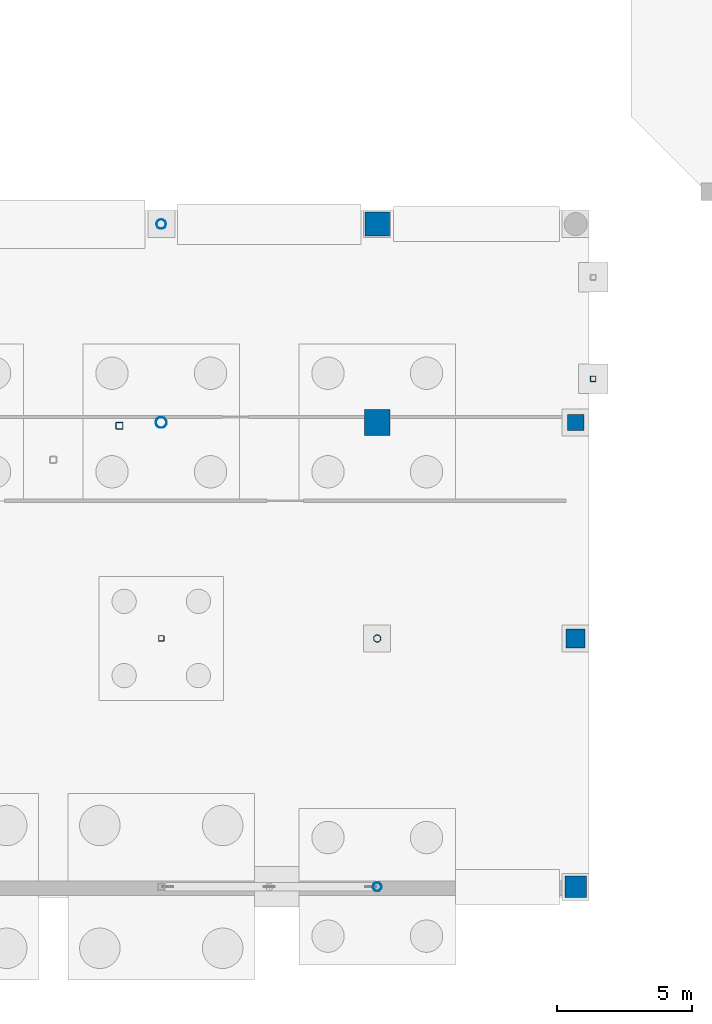
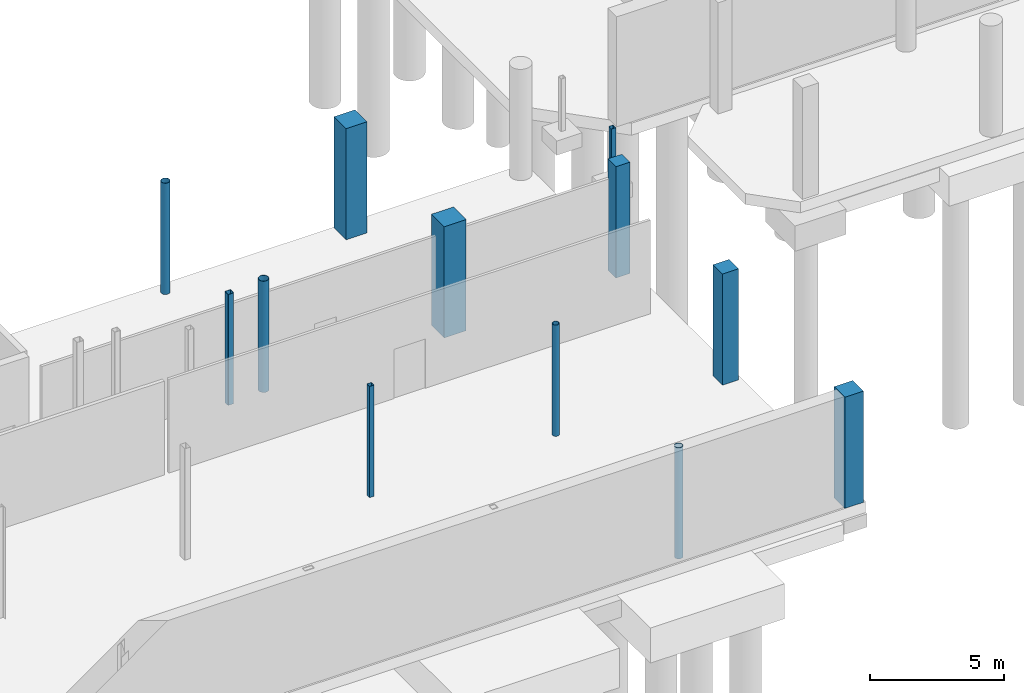
# One storey, part 6 of 33: 12 columns.
"""IFC4 building model written with IfcOpenShell, lengths in metres."""

from ifc_helpers import new_model, si_unit, direction, frame, origin, origin_2d, place, context, subcontext, project, spatial, rectangle, hollow_rectangle, hollow_circle, extrude, material, material_profile, profile_set, type_object, element, save


model = new_model("IFC4")

# Units and contexts
model_context = context("Model", 3, precision=1e-05, world=origin(), true_north=direction((0.0, 1.0)))
body_context = subcontext(model_context, "Body", "Model", "MODEL_VIEW")
ifc_project = project(units=[si_unit("LENGTHUNIT", "METRE"), si_unit("AREAUNIT", "SQUARE_METRE"), si_unit("VOLUMEUNIT", "CUBIC_METRE"), si_unit("PLANEANGLEUNIT", "RADIAN"), si_unit("MASSUNIT", "GRAM", prefix="KILO")], contexts=[model_context])

# Site, building, storey
site_placement = place(None, origin())
site = spatial("IfcSite", under=ifc_project, at=site_placement, CompositionType="ELEMENT")
building_placement = place(site_placement, origin())
building = spatial("IfcBuilding", under=site, at=building_placement, Name="Brisemont Oceanarium", CompositionType="ELEMENT")
storey_placement = place(building_placement, frame((0.0, 0.0, -5.39990234375)))
storey = spatial("IfcBuildingStorey", under=building, at=storey_placement, Name="B01", CompositionType="ELEMENT", Elevation=-5.39990234375)

# Columns
ifc_material_1 = material(Name="Structural Steel ASTM A500 Gr.C", Category="steel")
ifc_material_profile_1 = material_profile(ifc_material_1, hollow_circle(Radius=0.136474609375, WallThickness=0.01171875, at=origin_2d()), Name="HSS10.750X0.500")
ifc_profile_set_1 = profile_set([ifc_material_profile_1], Name="Structural Steel ASTM A500 Gr.C")
column_type_1 = type_object("IfcColumnType", Name="COL-CHS10", PredefinedType="COLUMN", material=ifc_profile_set_1)
column_1_placement = place(storey_placement, frame((48.0, 16.0, 0.0), z_axis=(0.0, 0.0, 1.0), x_axis=(1.0, 0.0, 0.0)))
element("IfcColumn", 1, at=column_1_placement, inside=storey, type_object=column_type_1, Name="V2 B01 column (5,1)", PredefinedType="COLUMN", context=body_context, shape_type="SweptSolid", body=[
    extrude(hollow_circle(Radius=0.136474609375, WallThickness=0.01171875, at=origin_2d()), origin(), (0.0, 0.0, 1.0), 5.079833984375),
])
ifc_material_2 = material(Name="Structural Steel ASTM A500 Gr.C", Category="steel")
ifc_material_profile_2 = material_profile(ifc_material_2, hollow_circle(Radius=0.162109375, WallThickness=0.01171875, at=origin_2d()), Name="HSS12.750X0.500")
ifc_profile_set_2 = profile_set([ifc_material_profile_2], Name="Structural Steel ASTM A500 Gr.C")
column_type_2 = type_object("IfcColumnType", Name="COL-CHS12", PredefinedType="COLUMN", material=ifc_profile_set_2)
column_2_placement = place(storey_placement, frame((48.0, 6.800048828125, 0.0), z_axis=(0.0, 0.0, 1.0), x_axis=(0.0, 1.0, 0.0)))
element("IfcColumn", 2, at=column_2_placement, inside=storey, type_object=column_type_2, Name="V2 B01 column (5,0)", PredefinedType="COLUMN", context=body_context, shape_type="SweptSolid", body=[
    extrude(hollow_circle(Radius=0.162109375, WallThickness=0.01171875, at=origin_2d()), origin(), (0.0, 0.0, 1.0), 5.079833984375),
])
ifc_material_3 = material(Name="Structural Steel ASTM A500 Gr.C", Category="steel")
ifc_material_profile_3 = material_profile(ifc_material_3, hollow_circle(Radius=0.177978515625, WallThickness=0.01171875, at=origin_2d()), Name="HSS14.000X0.500")
ifc_profile_set_3 = profile_set([ifc_material_profile_3], Name="Structural Steel ASTM A500 Gr.C")
column_type_3 = type_object("IfcColumnType", Name="COL-CHS14", PredefinedType="COLUMN", material=ifc_profile_set_3)
column_3_placement = place(storey_placement, frame((40.0, 31.35009765625, 0.0), z_axis=(0.0, 0.0, 1.0), x_axis=(0.0, 1.0, 0.0)))
element("IfcColumn", 3, at=column_3_placement, inside=storey, type_object=column_type_3, Name="V2 B01 column (4,3)", PredefinedType="COLUMN", context=body_context, shape_type="SweptSolid", body=[
    extrude(hollow_circle(Radius=0.177978515625, WallThickness=0.01171875, at=origin_2d()), origin(), (0.0, 0.0, 1.0), 5.079833984375),
])
ifc_material_4 = material(Name="Structural Steel ASTM A500 Gr.C", Category="steel")
ifc_material_profile_4 = material_profile(ifc_material_4, hollow_circle(Radius=0.202880859375, WallThickness=0.01171875, at=origin_2d()), Name="HSS16.000X0.500")
ifc_profile_set_4 = profile_set([ifc_material_profile_4], Name="Structural Steel ASTM A500 Gr.C")
column_type_4 = type_object("IfcColumnType", Name="COL-CHS16", PredefinedType="COLUMN", material=ifc_profile_set_4)
column_4_placement = place(storey_placement, frame((40.0, 24.0, 0.0), z_axis=(0.0, 0.0, 1.0), x_axis=(1.0, 0.0, 0.0)))
element("IfcColumn", 4, at=column_4_placement, inside=storey, type_object=column_type_4, Name="V2 B01 column (4,2)", PredefinedType="COLUMN", context=body_context, shape_type="SweptSolid", body=[
    extrude(hollow_circle(Radius=0.202880859375, WallThickness=0.01171875, at=origin_2d()), origin(), (0.0, 0.0, 1.0), 5.079833984375),
])
ifc_material_5 = material(Name="Structural Steel ASTM A500 Gr.C", Category="steel")
ifc_material_profile_5 = material_profile(ifc_material_5, hollow_rectangle(XDim=0.25390625, YDim=0.25390625, WallThickness=0.01171875, InnerFilletRadius=0.01220703125, OuterFilletRadius=0.02392578125, at=origin_2d()), Name="HSS10X10X1/2")
ifc_profile_set_5 = profile_set([ifc_material_profile_5], Name="Structural Steel ASTM A500 Gr.C")
column_type_5 = type_object("IfcColumnType", Name="COL-HSS10X10", PredefinedType="COLUMN", material=ifc_profile_set_5)
column_5_placement = place(storey_placement, frame((38.449951171875, 23.8798828125, 0.0), z_axis=(0.0, 0.0, 1.0), x_axis=(1.0, 0.0, 0.0)))
element("IfcColumn", 5, at=column_5_placement, inside=storey, type_object=column_type_5, Name="ST-10 B01 support column E", PredefinedType="COLUMN", context=body_context, shape_type="SweptSolid", body=[
    extrude(hollow_rectangle(XDim=0.25390625, YDim=0.25390625, WallThickness=0.01171875, InnerFilletRadius=0.01220703125, OuterFilletRadius=0.02392578125, at=origin_2d()), origin(), (0.0, 0.0, 1.0), 5.059814453125),
])
ifc_material_6 = material(Name="Structural Steel ASTM A500 Gr.C", Category="steel")
ifc_material_profile_6 = material_profile(ifc_material_6, hollow_rectangle(XDim=0.202880859375, YDim=0.202880859375, WallThickness=0.0087890625, InnerFilletRadius=0.009033203125, OuterFilletRadius=0.01806640625, at=origin_2d()), Name="HSS8X8X3/8")
ifc_profile_set_6 = profile_set([ifc_material_profile_6], Name="Structural Steel ASTM A500 Gr.C")
column_type_6 = type_object("IfcColumnType", Name="COL-HSS8X8", PredefinedType="COLUMN", material=ifc_profile_set_6)
column_6_placement = place(storey_placement, frame((40.0, 16.0, 0.0), z_axis=(0.0, 0.0, 1.0), x_axis=(0.0, 1.0, 0.0)))
element("IfcColumn", 6, at=column_6_placement, inside=storey, type_object=column_type_6, Name="V2 B01 column (4,1)", PredefinedType="COLUMN", context=body_context, shape_type="SweptSolid", body=[
    extrude(hollow_rectangle(XDim=0.202880859375, YDim=0.202880859375, WallThickness=0.0087890625, InnerFilletRadius=0.009033203125, OuterFilletRadius=0.01806640625, at=origin_2d()), origin(), (0.0, 0.0, 1.0), 5.079833984375),
])
column_7_placement = place(storey_placement, frame((56.0, 25.6201171875, 3.0), z_axis=(0.0, 0.0, 1.0), x_axis=(1.0, 0.0, 0.0)))
element("IfcColumn", 7, at=column_7_placement, inside=storey, type_object=column_type_6, Name="Seismic bridge pier B01", PredefinedType="COLUMN", context=body_context, shape_type="SweptSolid", body=[
    extrude(hollow_rectangle(XDim=0.202880859375, YDim=0.202880859375, WallThickness=0.0087890625, InnerFilletRadius=0.009033203125, OuterFilletRadius=0.01806640625, at=origin_2d()), origin(), (0.0, 0.0, 1.0), 2.39990234375),
])
ifc_material_7 = material(Name="Concrete C35/45", Category="concrete")
ifc_material_profile_7 = material_profile(ifc_material_7, rectangle(XDim=0.60009765625, YDim=0.60009765625, at=origin_2d()), Name="RC-COL-600X600")
ifc_profile_set_7 = profile_set([ifc_material_profile_7], Name="Concrete C35/45")
column_type_7 = type_object("IfcColumnType", Name="COL-RC600", PredefinedType="COLUMN", material=ifc_profile_set_7)
column_8_placement = place(storey_placement, frame((55.35009765625, 24.0, 0.0), z_axis=(0.0, 0.0, 1.0), x_axis=(1.0, 0.0, 0.0)))
element("IfcColumn", 8, at=column_8_placement, inside=storey, type_object=column_type_7, Name="V2 B01 column (6,2)", PredefinedType="COLUMN", context=body_context, shape_type="SweptSolid", body=[
    extrude(rectangle(XDim=0.60009765625, YDim=0.60009765625, at=origin_2d()), origin(), (0.0, 0.0, 1.0), 5.079833984375),
])
ifc_material_8 = material(Name="Concrete C35/45", Category="concrete")
ifc_material_profile_8 = material_profile(ifc_material_8, rectangle(XDim=0.699951171875, YDim=0.699951171875, at=origin_2d()), Name="RC-COL-700X700")
ifc_profile_set_8 = profile_set([ifc_material_profile_8], Name="Concrete C35/45")
column_type_8 = type_object("IfcColumnType", Name="COL-RC700", PredefinedType="COLUMN", material=ifc_profile_set_8)
column_9_placement = place(storey_placement, frame((55.35009765625, 16.0, 0.0), z_axis=(0.0, 0.0, 1.0), x_axis=(0.0, 1.0, 0.0)))
element("IfcColumn", 9, at=column_9_placement, inside=storey, type_object=column_type_8, Name="V2 B01 column (6,1)", PredefinedType="COLUMN", context=body_context, shape_type="SweptSolid", body=[
    extrude(rectangle(XDim=0.699951171875, YDim=0.699951171875, at=origin_2d()), origin(), (0.0, 0.0, 1.0), 5.079833984375),
])
ifc_material_9 = material(Name="Concrete C40/50", Category="concrete")
ifc_material_profile_9 = material_profile(ifc_material_9, rectangle(XDim=0.800048828125, YDim=0.800048828125, at=origin_2d()), Name="RC-COL-800X800")
ifc_profile_set_9 = profile_set([ifc_material_profile_9], Name="Concrete C40/50")
column_type_9 = type_object("IfcColumnType", Name="COL-RC800", PredefinedType="COLUMN", material=ifc_profile_set_9)
column_10_placement = place(storey_placement, frame((55.35009765625, 6.800048828125, 0.0), z_axis=(0.0, 0.0, 1.0), x_axis=(1.0, 0.0, 0.0)))
element("IfcColumn", 10, at=column_10_placement, inside=storey, type_object=column_type_9, Name="V2 B01 column (6,0)", PredefinedType="COLUMN", context=body_context, shape_type="SweptSolid", body=[
    extrude(rectangle(XDim=0.800048828125, YDim=0.800048828125, at=origin_2d()), origin(), (0.0, 0.0, 1.0), 5.079833984375),
])
ifc_material_10 = material(Name="Concrete C40/50", Category="concrete")
ifc_material_profile_10 = material_profile(ifc_material_10, rectangle(XDim=0.89990234375, YDim=0.89990234375, at=origin_2d()), Name="RC-COL-900X900")
ifc_profile_set_10 = profile_set([ifc_material_profile_10], Name="Concrete C40/50")
column_type_10 = type_object("IfcColumnType", Name="COL-RC900", PredefinedType="COLUMN", material=ifc_profile_set_10)
column_11_placement = place(storey_placement, frame((48.0, 31.35009765625, 0.0), z_axis=(0.0, 0.0, 1.0), x_axis=(1.0, 0.0, 0.0)))
element("IfcColumn", 11, at=column_11_placement, inside=storey, type_object=column_type_10, Name="V2 B01 column (5,3)", PredefinedType="COLUMN", context=body_context, shape_type="SweptSolid", body=[
    extrude(rectangle(XDim=0.89990234375, YDim=0.89990234375, at=origin_2d()), origin(), (0.0, 0.0, 1.0), 5.079833984375),
])
ifc_material_11 = material(Name="Concrete C40/50", Category="concrete")
ifc_material_profile_11 = material_profile(ifc_material_11, rectangle(XDim=0.949951171875, YDim=0.949951171875, at=origin_2d()), Name="RC-COL-950X950")
ifc_profile_set_11 = profile_set([ifc_material_profile_11], Name="Concrete C40/50")
column_type_11 = type_object("IfcColumnType", Name="COL-RC950", PredefinedType="COLUMN", material=ifc_profile_set_11)
column_12_placement = place(storey_placement, frame((48.0, 24.0, 0.0), z_axis=(0.0, 0.0, 1.0), x_axis=(0.0, 1.0, 0.0)))
element("IfcColumn", 12, at=column_12_placement, inside=storey, type_object=column_type_11, Name="V2 B01 column (5,2)", PredefinedType="COLUMN", context=body_context, shape_type="SweptSolid", body=[
    extrude(rectangle(XDim=0.949951171875, YDim=0.949951171875, at=origin_2d()), origin(), (0.0, 0.0, 1.0), 5.079833984375),
])

save(model, "model.ifc")
